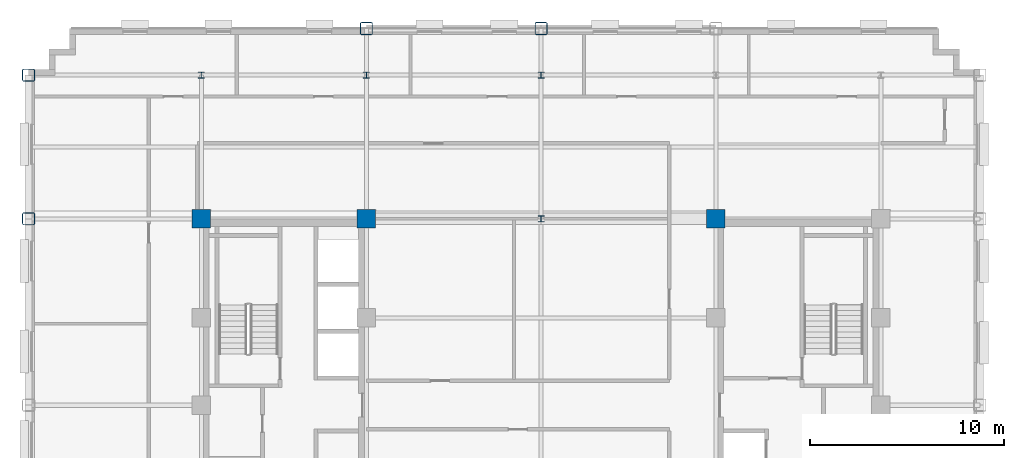
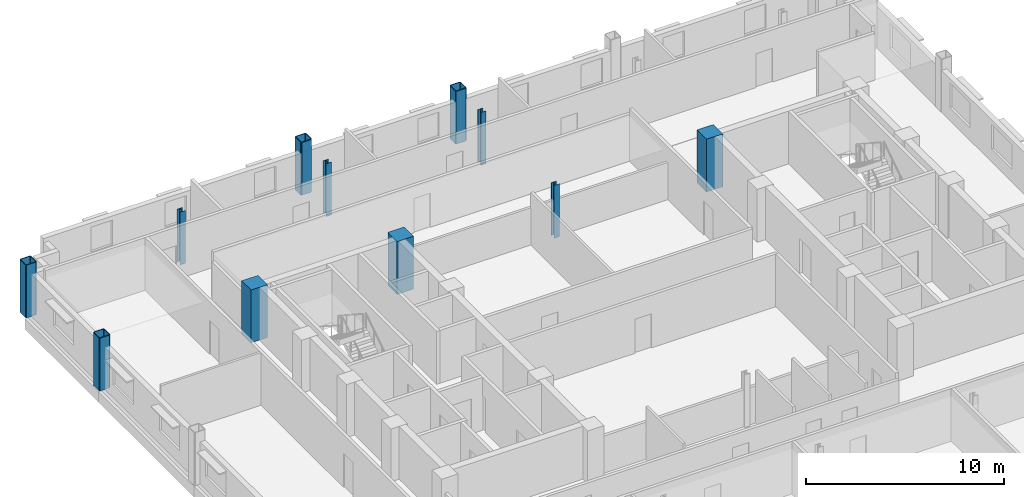
# One storey, part 3 of 14: 11 columns.
"""IFC4 building model written with IfcOpenShell, lengths in metres."""

from ifc_helpers import new_model, si_unit, direction, frame, origin, origin_2d, place, context, subcontext, project, spatial, rectangle, hollow_rectangle, i_section, extrude, material, material_profile, profile_set, type_object, element, save


model = new_model("IFC4")

# Units and contexts
model_context = context("Model", 3, precision=1e-05, world=origin(), true_north=direction((0.0, 1.0)))
body_context = subcontext(model_context, "Body", "Model", "MODEL_VIEW")
ifc_project = project(units=[si_unit("LENGTHUNIT", "METRE"), si_unit("AREAUNIT", "SQUARE_METRE"), si_unit("VOLUMEUNIT", "CUBIC_METRE"), si_unit("PLANEANGLEUNIT", "RADIAN"), si_unit("MASSUNIT", "GRAM", prefix="KILO")], contexts=[model_context])

# Site, building, storey
site_placement = place(None, origin())
site = spatial("IfcSite", under=ifc_project, at=site_placement, CompositionType="ELEMENT")
building_placement = place(site_placement, origin())
building = spatial("IfcBuilding", under=site, at=building_placement, Name="Nuvemarco Arch Tower", CompositionType="ELEMENT")
storey_placement = place(building_placement, frame((0.0, 0.0, 182.25)))
storey = spatial("IfcBuildingStorey", under=building, at=storey_placement, Name="L48", CompositionType="ELEMENT", Elevation=182.25)

# Columns
ifc_material_1 = material(Name="Concrete C50/60", Category="concrete")
ifc_material_profile_1 = material_profile(ifc_material_1, rectangle(XDim=0.949951171875, YDim=0.949951171875, at=origin_2d()), Name="RC-COL-950x950")
ifc_profile_set_1 = profile_set([ifc_material_profile_1], Name="Concrete C50/60")
column_type_1 = type_object("IfcColumnType", Name="COL-CORE-950", PredefinedType="COLUMN", material=ifc_profile_set_1)
for number, where, z_axis, x_axis, name in (
    (1, (-17.5, 9.60009765625, 0.0), (0.0, 0.0, 1.0), (1.0, 0.0, 0.0), "L48 column CC_-17.5_+9.6"),
    (2, (-9.0, 9.60009765625, 0.0), (0.0, 0.0, 1.0), (1.0, 0.0, 0.0), "L48 column CC_-9.0_+9.6"),
    (3, (9.0, 9.60009765625, 0.0), (0.0, 0.0, 1.0), (1.0, 0.0, 0.0), "L48 column CC_+9.0_+9.6"),
):
    element("IfcColumn", number, at=place(storey_placement, frame(where, z_axis=z_axis, x_axis=x_axis)), inside=storey, type_object=column_type_1, Name=name, PredefinedType="COLUMN", context=body_context, shape_type="SweptSolid", body=[
        extrude(rectangle(XDim=0.949951171875, YDim=0.949951171875, at=origin_2d()), origin(), (0.0, 0.0, 1.0), 3.25),
    ])
ifc_material_2 = material(Name="Steel S355", Category="steel")
ifc_material_profile_2 = material_profile(ifc_material_2, hollow_rectangle(XDim=0.64990234375, YDim=0.64990234375, WallThickness=0.0400390625, InnerFilletRadius=0.0400390625, OuterFilletRadius=0.080078125, at=origin_2d()), Name="SHS650x650x40")
ifc_profile_set_2 = profile_set([ifc_material_profile_2], Name="Steel S355")
column_type_2 = type_object("IfcColumnType", Name="COL-EXO-650", PredefinedType="COLUMN", material=ifc_profile_set_2)
for number, where, z_axis, x_axis, name in (
    (4, (-26.39990234375, 9.60009765625, 0.0), (0.0, 0.0, 1.0), (1.0, 0.0, 0.0), "L48 column CX_-26.4_+9.6"),
    (5, (-26.39990234375, 17.0, 0.0), (0.0, 0.0, 1.0), (1.0, 0.0, 0.0), "L48 column CX_-26.4_+17.0"),
    (6, (-9.0, 19.39990234375, 0.0), (0.0, 0.0, 1.0), (1.0, 0.0, 0.0), "L48 column CY_-9.0_+19.4"),
    (7, (0.0, 19.39990234375, 0.0), (0.0, 0.0, 1.0), (1.0, 0.0, 0.0), "L48 column CY_+0.0_+19.4"),
):
    element("IfcColumn", number, at=place(storey_placement, frame(where, z_axis=z_axis, x_axis=x_axis)), inside=storey, type_object=column_type_2, Name=name, PredefinedType="COLUMN", context=body_context, shape_type="SweptSolid", body=[
        extrude(hollow_rectangle(XDim=0.64990234375, YDim=0.64990234375, WallThickness=0.0400390625, InnerFilletRadius=0.0400390625, OuterFilletRadius=0.080078125, at=origin_2d()), origin(), (0.0, 0.0, 1.0), 3.25),
    ])
ifc_material_profile_3 = material_profile(ifc_material_2, i_section(OverallWidth=0.31005859375, OverallDepth=0.31005859375, WebThickness=0.015380859375, FlangeThickness=0.015380859375, FilletRadius=0.014892578125, at=origin_2d()), Name="HP310x110")
ifc_profile_set_3 = profile_set([ifc_material_profile_3], Name="Steel S355")
column_type_3 = type_object("IfcColumnType", Name="COL-STL-HP310", PredefinedType="COLUMN", material=ifc_profile_set_3)
for number, where, z_axis, x_axis, name in (
    (8, (0.0, 9.60009765625, 0.0), (0.0, 0.0, 1.0), (1.0, 0.0, 0.0), "L48 column CI_+0.0_+9.6"),
    (9, (0.0, 17.0, 0.0), (0.0, 0.0, 1.0), (1.0, 0.0, 0.0), "L48 column CI_+0.0_+17.0"),
    (10, (-17.5, 17.0, 0.0), (0.0, 0.0, 1.0), (1.0, 0.0, 0.0), "L48 column CI_-17.5_+17.0"),
    (11, (-9.0, 17.0, 0.0), (0.0, 0.0, 1.0), (1.0, 0.0, 0.0), "L48 column CI_-9.0_+17.0"),
):
    element("IfcColumn", number, at=place(storey_placement, frame(where, z_axis=z_axis, x_axis=x_axis)), inside=storey, type_object=column_type_3, Name=name, PredefinedType="COLUMN", context=body_context, shape_type="SweptSolid", body=[
        extrude(i_section(OverallWidth=0.31005859375, OverallDepth=0.31005859375, WebThickness=0.015380859375, FlangeThickness=0.015380859375, FilletRadius=0.014892578125, at=origin_2d()), origin(), (0.0, 0.0, 1.0), 3.25),
    ])

save(model, "model.ifc")
